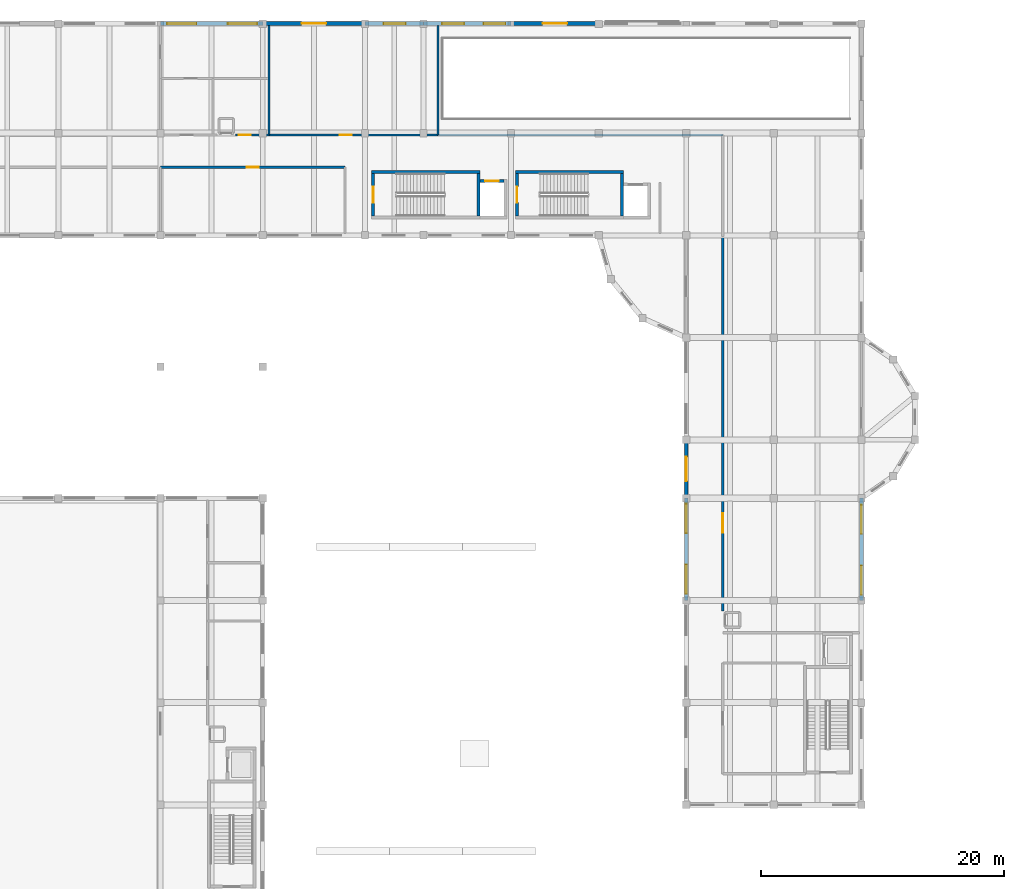
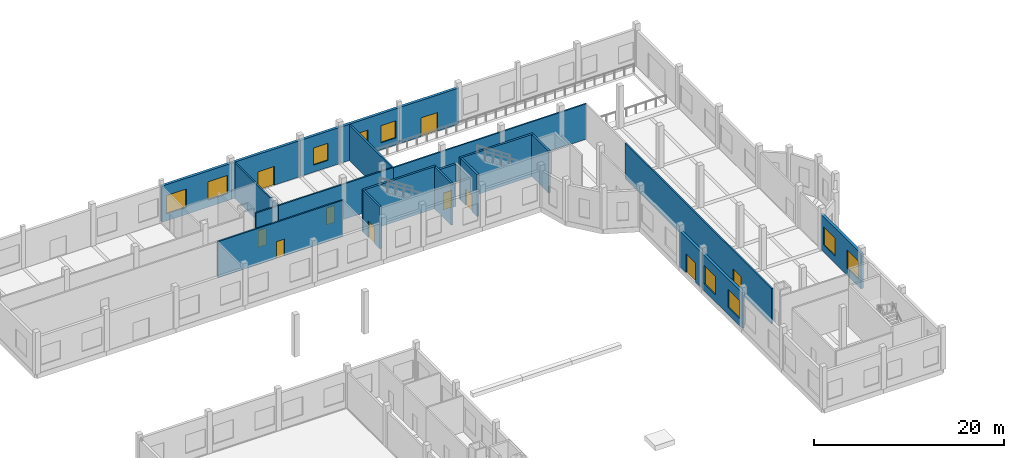
# One storey, part 24 of 41: 22 walls, 10 doors, 9 windows, 19 openings.
"""IFC4 building model written with IfcOpenShell, lengths in metres."""

from ifc_helpers import new_model, si_unit, direction, frame, frame_2d, origin, place, context, subcontext, project, spatial, rectangle, extrude, material, layer, layer_set, type_object, element, fill, save


model = new_model("IFC4")

# Units and contexts
model_context = context("Model", 3, precision=1e-05, world=origin(), true_north=direction((0.0, 1.0)))
body_context = subcontext(model_context, "Body", "Model", "MODEL_VIEW")
ifc_project = project(units=[si_unit("LENGTHUNIT", "METRE"), si_unit("AREAUNIT", "SQUARE_METRE"), si_unit("VOLUMEUNIT", "CUBIC_METRE"), si_unit("PLANEANGLEUNIT", "RADIAN"), si_unit("MASSUNIT", "GRAM", prefix="KILO")], contexts=[model_context])

# Site, building, storey
site_placement = place(None, origin())
site = spatial("IfcSite", under=ifc_project, at=site_placement, CompositionType="ELEMENT")
building_placement = place(site_placement, origin())
building = spatial("IfcBuilding", under=site, at=building_placement, Name="Kahlenmark Community Centre", CompositionType="ELEMENT")
storey_placement = place(building_placement, origin())
storey = spatial("IfcBuildingStorey", under=building, at=storey_placement, Name="L00", CompositionType="ELEMENT", Elevation=0.0)

# Wall, opening, door
ifc_material_1 = material(Name="Concrete C35/45", Category="concrete")
ifc_layer_1 = layer(ifc_material_1, 0.25)
ifc_layer_set_1 = layer_set([ifc_layer_1], Name="Concrete C35/45")
wall_type_1 = type_object("IfcWallType", Name="WT-CORE-250", PredefinedType="SHEAR", material=ifc_layer_set_1)
wall_1_placement = place(storey_placement, frame((46.675048828125, 102.699951171875, 0.0), z_axis=(0.0, 0.0, 1.0), x_axis=(0.0, -1.0, 0.0)))
wall_1 = element("IfcWall", 1, at=wall_1_placement, inside=storey, type_object=wall_type_1, Name="Core K4 shear wall WL-CORE-K4-L00-0106", PredefinedType="SHEAR", context=body_context, shape_type="SweptSolid", body=[
    extrude(rectangle(XDim=3.5, YDim=0.25, at=frame_2d((1.75, 0.0))), origin(), (0.0, 0.0, 1.0), 5.39990234375),
])
opening_1_placement = place(wall_1_placement, frame((1.10009765625, 0.0, -0.010009765625)))
opening_1 = element("IfcOpeningElement", 2, at=opening_1_placement, cuts=wall_1, Name="Opening FD-K4-L00", PredefinedType="OPENING", context=body_context, shape_type="SweptSolid", body=[
    extrude(rectangle(XDim=1.300048828125, YDim=2.159912109375, at=frame_2d((0.64990234375, 1.080078125))), frame((0.0, 0.135009765625, 0.0), z_axis=(0.0, -1.0, 0.0), x_axis=(1.0, 0.0, 0.0)), (0.0, 0.0, 1.0), 0.27001953125),
])
ifc_material_2 = material(Name="Fire-rated steel-framed timber door FD60S", Category="steel")
door_type_1 = type_object("IfcDoorType", Name="DT-FD-K4-L00", OperationType="NOTDEFINED", PredefinedType="DOOR", material=ifc_material_2)
door_1_placement = place(opening_1_placement, frame((1.300048828125, 0.0, 0.010009765625), z_axis=(0.0, 0.0, 1.0), x_axis=(-1.0, 0.0, 0.0)))
door_1 = element("IfcDoor", 3, at=door_1_placement, inside=storey, type_object=door_type_1, Name="Core K4 stair fire door L00", OperationType="SINGLE_SWING_LEFT", OverallHeight=2.14990234375, OverallWidth=1.300048828125, PredefinedType="DOOR", context=body_context, shape_type="SweptSolid", body=[
    extrude(rectangle(XDim=1.300048828125, YDim=2.14990234375, at=frame_2d((0.64990234375, 1.074951171875))), frame((0.0, 0.02490234375, 0.0), z_axis=(0.0, -1.0, 0.0), x_axis=(1.0, 0.0, 0.0)), (0.0, 0.0, 1.0), 0.050048828125),
])
fill(opening_1, door_1)

# Walls
wall_2_placement = place(storey_placement, frame((46.550048828125, 102.824951171875, 0.0), z_axis=(0.0, 0.0, 1.0), x_axis=(1.0, 0.0, 0.0)))
element("IfcWall", 4, at=wall_2_placement, inside=storey, type_object=wall_type_1, Name="Core K4 shear wall WL-CORE-K4-L00-0108", PredefinedType="SHEAR", context=body_context, shape_type="SweptSolid", body=[
    extrude(rectangle(XDim=8.89990234375, YDim=0.25, at=frame_2d((4.449951171875, 0.0))), origin(), (0.0, 0.0, 1.0), 5.39990234375),
])
wall_3_placement = place(storey_placement, frame((55.324951171875, 99.199951171875, 0.0), z_axis=(0.0, 0.0, 1.0), x_axis=(0.0, 1.0, 0.0)))
element("IfcWall", 5, at=wall_3_placement, inside=storey, type_object=wall_type_1, Name="Core K4 shear wall WL-CORE-K4-L00-0109", PredefinedType="SHEAR", context=body_context, shape_type="SweptSolid", body=[
    extrude(rectangle(XDim=3.5, YDim=0.25, at=frame_2d((1.75, 0.0))), origin(), (0.0, 0.0, 1.0), 5.39990234375),
])

# Wall, opening, door
wall_4_placement = place(storey_placement, frame((55.449951171875, 102.0849609375, 0.0), z_axis=(0.0, 0.0, 1.0), x_axis=(1.0, 0.0, 0.0)))
wall_4 = element("IfcWall", 6, at=wall_4_placement, inside=storey, type_object=wall_type_1, Name="Core K4 shear wall WL-CORE-K4-L00-0112", PredefinedType="SHEAR", context=body_context, shape_type="SweptSolid", body=[
    extrude(rectangle(XDim=1.9599609375, YDim=0.25, at=frame_2d((0.97998046875, 0.0))), origin(), (0.0, 0.0, 1.0), 5.39990234375),
])
opening_2_placement = place(wall_4_placement, frame((0.429931640625, 0.0, -0.010009765625)))
opening_2 = element("IfcOpeningElement", 7, at=opening_2_placement, cuts=wall_4, Name="Opening LD-4", PredefinedType="OPENING", context=body_context, shape_type="SweptSolid", body=[
    extrude(rectangle(XDim=1.10009765625, YDim=2.159912109375, at=frame_2d((0.550048828125, 1.080078125))), frame((0.0, 0.135009765625, 0.0), z_axis=(0.0, -1.0, 0.0), x_axis=(1.0, 0.0, 0.0)), (0.0, 0.0, 1.0), 0.27001953125),
])
ifc_material_3 = material(Name="Brushed stainless steel sliding lift landing door", Category="steel")
door_type_2 = type_object("IfcDoorType", Name="DT-LD-K4", OperationType="SLIDING_TO_LEFT", PredefinedType="DOOR", material=ifc_material_3)
door_2_placement = place(opening_2_placement, frame((0.0, 0.0, 0.010009765625)))
door_2 = element("IfcDoor", 8, at=door_2_placement, inside=storey, type_object=door_type_2, Name="Lift LF-04 sliding landing door L00", OperationType="SLIDING_TO_LEFT", OverallHeight=2.14990234375, OverallWidth=1.10009765625, PredefinedType="DOOR", context=body_context, shape_type="SweptSolid", body=[
    extrude(rectangle(XDim=1.10009765625, YDim=2.14990234375, at=frame_2d((0.550048828125, 1.074951171875))), frame((0.0, 0.02490234375, 0.0), z_axis=(0.0, -1.0, 0.0), x_axis=(1.0, 0.0, 0.0)), (0.0, 0.0, 1.0), 0.050048828125),
])
fill(opening_2, door_2)

wall_5_placement = place(storey_placement, frame((58.47509765625, 102.699951171875, 0.0), z_axis=(0.0, 0.0, 1.0), x_axis=(0.0, -1.0, 0.0)))
wall_5 = element("IfcWall", 9, at=wall_5_placement, inside=storey, type_object=wall_type_1, Name="Core K5 shear wall WL-CORE-K5-L00-0155", PredefinedType="SHEAR", context=body_context, shape_type="SweptSolid", body=[
    extrude(rectangle(XDim=3.5, YDim=0.25, at=frame_2d((1.75, 0.0))), origin(), (0.0, 0.0, 1.0), 5.39990234375),
])
opening_3_placement = place(wall_5_placement, frame((1.10009765625, 0.0, -0.010009765625)))
opening_3 = element("IfcOpeningElement", 10, at=opening_3_placement, cuts=wall_5, Name="Opening FD-K5-L00", PredefinedType="OPENING", context=body_context, shape_type="SweptSolid", body=[
    extrude(rectangle(XDim=1.300048828125, YDim=2.159912109375, at=frame_2d((0.64990234375, 1.080078125))), frame((0.0, 0.135009765625, 0.0), z_axis=(0.0, -1.0, 0.0), x_axis=(1.0, 0.0, 0.0)), (0.0, 0.0, 1.0), 0.27001953125),
])
door_type_3 = type_object("IfcDoorType", Name="DT-FD-K5-L00", OperationType="NOTDEFINED", PredefinedType="DOOR", material=ifc_material_2)
door_3_placement = place(opening_3_placement, frame((0.0, 0.0, 0.010009765625)))
door_3 = element("IfcDoor", 11, at=door_3_placement, inside=storey, type_object=door_type_3, Name="Core K5 stair fire door L00", OperationType="SINGLE_SWING_RIGHT", OverallHeight=2.14990234375, OverallWidth=1.300048828125, PredefinedType="DOOR", context=body_context, shape_type="SweptSolid", body=[
    extrude(rectangle(XDim=1.300048828125, YDim=2.14990234375, at=frame_2d((0.64990234375, 1.074951171875))), frame((0.0, 0.02490234375, 0.0), z_axis=(0.0, -1.0, 0.0), x_axis=(1.0, 0.0, 0.0)), (0.0, 0.0, 1.0), 0.050048828125),
])
fill(opening_3, door_3)

# Walls
wall_6_placement = place(storey_placement, frame((58.35009765625, 102.824951171875, 0.0), z_axis=(0.0, 0.0, 1.0), x_axis=(1.0, 0.0, 0.0)))
element("IfcWall", 12, at=wall_6_placement, inside=storey, type_object=wall_type_1, Name="Core K5 shear wall WL-CORE-K5-L00-0157", PredefinedType="SHEAR", context=body_context, shape_type="SweptSolid", body=[
    extrude(rectangle(XDim=8.89990234375, YDim=0.25, at=frame_2d((4.449951171875, 0.0))), origin(), (0.0, 0.0, 1.0), 5.39990234375),
])
wall_7_placement = place(storey_placement, frame((67.125, 99.199951171875, 0.0), z_axis=(0.0, 0.0, 1.0), x_axis=(0.0, 1.0, 0.0)))
element("IfcWall", 13, at=wall_7_placement, inside=storey, type_object=wall_type_1, Name="Core K5 shear wall WL-CORE-K5-L00-0158", PredefinedType="SHEAR", context=body_context, shape_type="SweptSolid", body=[
    extrude(rectangle(XDim=3.5, YDim=0.25, at=frame_2d((1.75, 0.0))), origin(), (0.0, 0.0, 1.0), 5.39990234375),
])

# Wall, openings, windows
ifc_material_4 = material(Name="Danube limestone masonry", Category="masonry")
ifc_layer_2 = layer(ifc_material_4, 0.320068359375)
ifc_layer_set_2 = layer_set([ifc_layer_2], Name="Danube limestone masonry")
wall_type_2 = type_object("IfcWallType", Name="WT-EW-320", PredefinedType="SOLIDWALL", material=ifc_layer_set_2)
wall_8_placement = place(storey_placement, frame((37.60009765625, 115.0, 0.0), z_axis=(0.0, 0.0, 1.0), x_axis=(-1.0, 0.0, 0.0)))
wall_8 = element("IfcWall", 14, at=wall_8_placement, inside=storey, type_object=wall_type_2, Name="Exterior wall WL-EXT-L00-0190", PredefinedType="SOLIDWALL", context=body_context, shape_type="SweptSolid", body=[
    extrude(rectangle(XDim=8.400146484375, YDim=0.320068359375, at=frame_2d((4.2001953125, 0.0))), origin(), (0.0, 0.0, 1.0), 4.639892578125),
])
opening_4_placement = place(wall_8_placement, frame((0.4599609375, 0.0, 0.89990234375)))
opening_4 = element("IfcOpeningElement", 15, at=opening_4_placement, cuts=wall_8, Name="Opening W-240X235", PredefinedType="OPENING", context=body_context, shape_type="SweptSolid", body=[
    extrude(rectangle(XDim=2.39990234375, YDim=2.35009765625, at=frame_2d((1.199951171875, 1.175048828125))), frame((0.0, 0.169921875, 0.0), z_axis=(0.0, -1.0, 0.0), x_axis=(1.0, 0.0, 0.0)), (0.0, 0.0, 1.0), 0.340087890625),
])
opening_5_placement = place(wall_8_placement, frame((5.4599609375, 0.0, 0.89990234375)))
opening_5 = element("IfcOpeningElement", 16, at=opening_5_placement, cuts=wall_8, Name="Opening W-240X235", PredefinedType="OPENING", context=body_context, shape_type="SweptSolid", body=[
    extrude(rectangle(XDim=2.39990234375, YDim=2.35009765625, at=frame_2d((1.199951171875, 1.175048828125))), frame((0.0, 0.169921875, 0.0), z_axis=(0.0, -1.0, 0.0), x_axis=(1.0, 0.0, 0.0)), (0.0, 0.0, 1.0), 0.340087890625),
])
ifc_material_5 = material(Name="Triple low-e insulated glazing in timber-aluminium frame", Category="wood")
window_type_1 = type_object("IfcWindowType", Name="WNT-240X235", PartitioningType="TRIPLE_PANEL_VERTICAL", PredefinedType="WINDOW", material=ifc_material_5)
window_1_placement = place(opening_4_placement, origin())
window_1 = element("IfcWindow", 17, at=window_1_placement, inside=storey, type_object=window_type_1, Name="Window W-240X235 #0083", OverallHeight=2.35009765625, OverallWidth=2.39990234375, PartitioningType="TRIPLE_PANEL_VERTICAL", PredefinedType="WINDOW", context=body_context, shape_type="SweptSolid", body=[
    extrude(rectangle(XDim=2.39990234375, YDim=2.35009765625, at=frame_2d((1.199951171875, 1.175048828125))), frame((0.0, 0.030029296875, 0.0), z_axis=(0.0, -1.0, 0.0), x_axis=(1.0, 0.0, 0.0)), (0.0, 0.0, 1.0), 0.06005859375),
])
fill(opening_4, window_1)
window_2_placement = place(opening_5_placement, origin())
window_2 = element("IfcWindow", 18, at=window_2_placement, inside=storey, type_object=window_type_1, Name="Window W-240X235 #0084", OverallHeight=2.35009765625, OverallWidth=2.39990234375, PartitioningType="TRIPLE_PANEL_VERTICAL", PredefinedType="WINDOW", context=body_context, shape_type="SweptSolid", body=[
    extrude(rectangle(XDim=2.39990234375, YDim=2.35009765625, at=frame_2d((1.199951171875, 1.175048828125))), frame((0.0, 0.030029296875, 0.0), z_axis=(0.0, -1.0, 0.0), x_axis=(1.0, 0.0, 0.0)), (0.0, 0.0, 1.0), 0.06005859375),
])
fill(opening_5, window_2)

# Wall, opening, door
wall_9_placement = place(storey_placement, frame((46.0, 115.0, 0.0), z_axis=(0.0, 0.0, 1.0), x_axis=(-1.0, 0.0, 0.0)))
wall_9 = element("IfcWall", 19, at=wall_9_placement, inside=storey, type_object=wall_type_2, Name="Exterior wall WL-EXT-L00-0191", PredefinedType="SOLIDWALL", context=body_context, shape_type="SweptSolid", body=[
    extrude(rectangle(XDim=8.39990234375, YDim=0.320068359375, at=frame_2d((4.199951171875, 0.0))), origin(), (0.0, 0.0, 1.0), 4.639892578125),
])
opening_6_placement = place(wall_9_placement, frame((3.199951171875, 0.0, -0.010009765625)))
opening_6 = element("IfcOpeningElement", 20, at=opening_6_placement, cuts=wall_9, Name="Opening D-EX05", PredefinedType="OPENING", context=body_context, shape_type="SweptSolid", body=[
    extrude(rectangle(XDim=2.0, YDim=2.409912109375, at=frame_2d((1.0, 1.205078125))), frame((0.0, 0.169921875, 0.0), z_axis=(0.0, -1.0, 0.0), x_axis=(1.0, 0.0, 0.0)), (0.0, 0.0, 1.0), 0.340087890625),
])
ifc_material_6 = material(Name="Thermally broken glazed aluminium double entrance door", Category="aluminium")
door_type_4 = type_object("IfcDoorType", Name="DT-EXT-200X240", OperationType="NOTDEFINED", PredefinedType="DOOR", material=ifc_material_6)
door_4_placement = place(opening_6_placement, frame((0.0, 0.0, 0.010009765625)))
door_4 = element("IfcDoor", 21, at=door_4_placement, inside=storey, type_object=door_type_4, Name="Exterior door D-EX05", OperationType="DOUBLE_SWING_LEFT", OverallHeight=2.39990234375, OverallWidth=2.0, PredefinedType="DOOR", context=body_context, shape_type="SweptSolid", body=[
    extrude(rectangle(XDim=2.0, YDim=2.39990234375, at=frame_2d((1.0, 1.199951171875))), frame((0.0, 0.02490234375, 0.0), z_axis=(0.0, -1.0, 0.0), x_axis=(1.0, 0.0, 0.0)), (0.0, 0.0, 1.0), 0.050048828125),
])
fill(opening_6, door_4)

# Wall, opening, window
wall_10_placement = place(storey_placement, frame((50.800048828125, 115.0, 0.0), z_axis=(0.0, 0.0, 1.0), x_axis=(-1.0, 0.0, 0.0)))
wall_10 = element("IfcWall", 22, at=wall_10_placement, inside=storey, type_object=wall_type_2, Name="Exterior wall WL-EXT-L00-0192", PredefinedType="SOLIDWALL", context=body_context, shape_type="SweptSolid", body=[
    extrude(rectangle(XDim=4.800048828125, YDim=0.320068359375, at=frame_2d((2.39990234375, 0.0))), origin(), (0.0, 0.0, 1.0), 4.639892578125),
])
opening_7_placement = place(wall_10_placement, frame((1.4599609375, 0.0, 0.89990234375)))
opening_7 = element("IfcOpeningElement", 23, at=opening_7_placement, cuts=wall_10, Name="Opening W-180X220", PredefinedType="OPENING", context=body_context, shape_type="SweptSolid", body=[
    extrude(rectangle(XDim=1.800048828125, YDim=2.199951171875, at=frame_2d((0.89990234375, 1.10009765625))), frame((0.0, 0.169921875, 0.0), z_axis=(0.0, -1.0, 0.0), x_axis=(1.0, 0.0, 0.0)), (0.0, 0.0, 1.0), 0.340087890625),
])
window_type_2 = type_object("IfcWindowType", Name="WNT-180X220", PartitioningType="DOUBLE_PANEL_VERTICAL", PredefinedType="WINDOW", material=ifc_material_5)
window_3_placement = place(opening_7_placement, origin())
window_3 = element("IfcWindow", 24, at=window_3_placement, inside=storey, type_object=window_type_2, Name="Window W-180X220 #0085", OverallHeight=2.199951171875, OverallWidth=1.800048828125, PartitioningType="DOUBLE_PANEL_VERTICAL", PredefinedType="WINDOW", context=body_context, shape_type="SweptSolid", body=[
    extrude(rectangle(XDim=1.800048828125, YDim=2.199951171875, at=frame_2d((0.89990234375, 1.10009765625))), frame((0.0, 0.030029296875, 0.0), z_axis=(0.0, -1.0, 0.0), x_axis=(1.0, 0.0, 0.0)), (0.0, 0.0, 1.0), 0.06005859375),
])
fill(opening_7, window_3)

# Wall, openings, windows
wall_11_placement = place(storey_placement, frame((58.0, 115.0, 0.0), z_axis=(0.0, 0.0, 1.0), x_axis=(-1.0, 0.0, 0.0)))
wall_11 = element("IfcWall", 25, at=wall_11_placement, inside=storey, type_object=wall_type_2, Name="Exterior wall WL-EXT-L00-0193", PredefinedType="SOLIDWALL", context=body_context, shape_type="SweptSolid", body=[
    extrude(rectangle(XDim=7.199951171875, YDim=0.320068359375, at=frame_2d((3.60009765625, 0.0))), origin(), (0.0, 0.0, 1.0), 4.639892578125),
])
opening_8_placement = place(wall_11_placement, frame((0.4599609375, 0.0, 0.89990234375)))
opening_8 = element("IfcOpeningElement", 26, at=opening_8_placement, cuts=wall_11, Name="Opening W-180X220", PredefinedType="OPENING", context=body_context, shape_type="SweptSolid", body=[
    extrude(rectangle(XDim=1.800048828125, YDim=2.199951171875, at=frame_2d((0.89990234375, 1.10009765625))), frame((0.0, 0.169921875, 0.0), z_axis=(0.0, -1.0, 0.0), x_axis=(1.0, 0.0, 0.0)), (0.0, 0.0, 1.0), 0.340087890625),
])
opening_9_placement = place(wall_11_placement, frame((3.860107421875, 0.0, 0.89990234375)))
opening_9 = element("IfcOpeningElement", 27, at=opening_9_placement, cuts=wall_11, Name="Opening W-180X220", PredefinedType="OPENING", context=body_context, shape_type="SweptSolid", body=[
    extrude(rectangle(XDim=1.800048828125, YDim=2.199951171875, at=frame_2d((0.89990234375, 1.10009765625))), frame((0.0, 0.169921875, 0.0), z_axis=(0.0, -1.0, 0.0), x_axis=(1.0, 0.0, 0.0)), (0.0, 0.0, 1.0), 0.340087890625),
])
window_4_placement = place(opening_8_placement, origin())
window_4 = element("IfcWindow", 28, at=window_4_placement, inside=storey, type_object=window_type_2, Name="Window W-180X220 #0086", OverallHeight=2.199951171875, OverallWidth=1.800048828125, PartitioningType="DOUBLE_PANEL_VERTICAL", PredefinedType="WINDOW", context=body_context, shape_type="SweptSolid", body=[
    extrude(rectangle(XDim=1.800048828125, YDim=2.199951171875, at=frame_2d((0.89990234375, 1.10009765625))), frame((0.0, 0.030029296875, 0.0), z_axis=(0.0, -1.0, 0.0), x_axis=(1.0, 0.0, 0.0)), (0.0, 0.0, 1.0), 0.06005859375),
])
fill(opening_8, window_4)
window_5_placement = place(opening_9_placement, origin())
window_5 = element("IfcWindow", 29, at=window_5_placement, inside=storey, type_object=window_type_2, Name="Window W-180X220 #0087", OverallHeight=2.199951171875, OverallWidth=1.800048828125, PartitioningType="DOUBLE_PANEL_VERTICAL", PredefinedType="WINDOW", context=body_context, shape_type="SweptSolid", body=[
    extrude(rectangle(XDim=1.800048828125, YDim=2.199951171875, at=frame_2d((0.89990234375, 1.10009765625))), frame((0.0, 0.030029296875, 0.0), z_axis=(0.0, -1.0, 0.0), x_axis=(1.0, 0.0, 0.0)), (0.0, 0.0, 1.0), 0.06005859375),
])
fill(opening_9, window_5)

# Wall, opening, door
wall_12_placement = place(storey_placement, frame((65.199951171875, 115.0, 0.0), z_axis=(0.0, 0.0, 1.0), x_axis=(-1.0, 0.0, 0.0)))
wall_12 = element("IfcWall", 30, at=wall_12_placement, inside=storey, type_object=wall_type_2, Name="Exterior wall WL-EXT-L00-0194", PredefinedType="SOLIDWALL", context=body_context, shape_type="SweptSolid", body=[
    extrude(rectangle(XDim=7.199951171875, YDim=0.320068359375, at=frame_2d((3.60009765625, 0.0))), origin(), (0.0, 0.0, 1.0), 4.639892578125),
])
opening_10_placement = place(wall_12_placement, frame((2.60009765625, 0.0, -0.010009765625)))
opening_10 = element("IfcOpeningElement", 31, at=opening_10_placement, cuts=wall_12, Name="Opening D-E08", PredefinedType="OPENING", context=body_context, shape_type="SweptSolid", body=[
    extrude(rectangle(XDim=2.0, YDim=2.409912109375, at=frame_2d((1.0, 1.205078125))), frame((0.0, 0.169921875, 0.0), z_axis=(0.0, -1.0, 0.0), x_axis=(1.0, 0.0, 0.0)), (0.0, 0.0, 1.0), 0.340087890625),
])
door_5_placement = place(opening_10_placement, frame((0.0, 0.0, 0.010009765625)))
door_5 = element("IfcDoor", 32, at=door_5_placement, inside=storey, type_object=door_type_4, Name="Exterior door D-E08", OperationType="DOUBLE_SWING_LEFT", OverallHeight=2.39990234375, OverallWidth=2.0, PredefinedType="DOOR", context=body_context, shape_type="SweptSolid", body=[
    extrude(rectangle(XDim=2.0, YDim=2.39990234375, at=frame_2d((1.0, 1.199951171875))), frame((0.0, 0.02490234375, 0.0), z_axis=(0.0, -1.0, 0.0), x_axis=(1.0, 0.0, 0.0)), (0.0, 0.0, 1.0), 0.050048828125),
])
fill(opening_10, door_5)

# Wall, openings, windows
wall_13_placement = place(storey_placement, frame((72.39990234375, 76.0, 0.0), z_axis=(0.0, 0.0, 1.0), x_axis=(0.0, -1.0, 0.0)))
wall_13 = element("IfcWall", 33, at=wall_13_placement, inside=storey, type_object=wall_type_2, Name="Exterior wall WL-EXT-L00-0206", PredefinedType="SOLIDWALL", context=body_context, shape_type="SweptSolid", body=[
    extrude(rectangle(XDim=8.39990234375, YDim=0.320068359375, at=frame_2d((4.199951171875, 0.0))), origin(), (0.0, 0.0, 1.0), 4.5400390625),
])
opening_11_placement = place(wall_13_placement, frame((0.4599609375, 0.0, 0.89990234375)))
opening_11 = element("IfcOpeningElement", 34, at=opening_11_placement, cuts=wall_13, Name="Opening W-240X235", PredefinedType="OPENING", context=body_context, shape_type="SweptSolid", body=[
    extrude(rectangle(XDim=2.39990234375, YDim=2.35009765625, at=frame_2d((1.199951171875, 1.175048828125))), frame((0.0, 0.169921875, 0.0), z_axis=(0.0, -1.0, 0.0), x_axis=(1.0, 0.0, 0.0)), (0.0, 0.0, 1.0), 0.340087890625),
])
opening_12_placement = place(wall_13_placement, frame((5.4599609375, 0.0, 0.89990234375)))
opening_12 = element("IfcOpeningElement", 35, at=opening_12_placement, cuts=wall_13, Name="Opening W-240X235", PredefinedType="OPENING", context=body_context, shape_type="SweptSolid", body=[
    extrude(rectangle(XDim=2.39990234375, YDim=2.35009765625, at=frame_2d((1.199951171875, 1.175048828125))), frame((0.0, 0.169921875, 0.0), z_axis=(0.0, -1.0, 0.0), x_axis=(1.0, 0.0, 0.0)), (0.0, 0.0, 1.0), 0.340087890625),
])
window_6_placement = place(opening_11_placement, origin())
window_6 = element("IfcWindow", 36, at=window_6_placement, inside=storey, type_object=window_type_1, Name="Window W-240X235 #0107", OverallHeight=2.35009765625, OverallWidth=2.39990234375, PartitioningType="TRIPLE_PANEL_VERTICAL", PredefinedType="WINDOW", context=body_context, shape_type="SweptSolid", body=[
    extrude(rectangle(XDim=2.39990234375, YDim=2.35009765625, at=frame_2d((1.199951171875, 1.175048828125))), frame((0.0, 0.030029296875, 0.0), z_axis=(0.0, -1.0, 0.0), x_axis=(1.0, 0.0, 0.0)), (0.0, 0.0, 1.0), 0.06005859375),
])
fill(opening_11, window_6)
window_7_placement = place(opening_12_placement, origin())
window_7 = element("IfcWindow", 37, at=window_7_placement, inside=storey, type_object=window_type_1, Name="Window W-240X235 #0108", OverallHeight=2.35009765625, OverallWidth=2.39990234375, PartitioningType="TRIPLE_PANEL_VERTICAL", PredefinedType="WINDOW", context=body_context, shape_type="SweptSolid", body=[
    extrude(rectangle(XDim=2.39990234375, YDim=2.35009765625, at=frame_2d((1.199951171875, 1.175048828125))), frame((0.0, 0.030029296875, 0.0), z_axis=(0.0, -1.0, 0.0), x_axis=(1.0, 0.0, 0.0)), (0.0, 0.0, 1.0), 0.06005859375),
])
fill(opening_12, window_7)

# Wall, opening, door
wall_14_placement = place(storey_placement, frame((72.39990234375, 80.800048828125, 0.0), z_axis=(0.0, 0.0, 1.0), x_axis=(0.0, -1.0, 0.0)))
wall_14 = element("IfcWall", 38, at=wall_14_placement, inside=storey, type_object=wall_type_2, Name="Exterior wall WL-EXT-L00-0207", PredefinedType="SOLIDWALL", context=body_context, shape_type="SweptSolid", body=[
    extrude(rectangle(XDim=4.800048828125, YDim=0.320068359375, at=frame_2d((2.39990234375, 0.0))), origin(), (0.0, 0.0, 1.0), 4.5400390625),
])
opening_13_placement = place(wall_14_placement, frame((1.39990234375, 0.0, -0.010009765625)))
opening_13 = element("IfcOpeningElement", 39, at=opening_13_placement, cuts=wall_14, Name="Opening D-E09", PredefinedType="OPENING", context=body_context, shape_type="SweptSolid", body=[
    extrude(rectangle(XDim=2.0, YDim=2.409912109375, at=frame_2d((1.0, 1.205078125))), frame((0.0, 0.169921875, 0.0), z_axis=(0.0, -1.0, 0.0), x_axis=(1.0, 0.0, 0.0)), (0.0, 0.0, 1.0), 0.340087890625),
])
door_6_placement = place(opening_13_placement, frame((0.0, 0.0, 0.010009765625)))
door_6 = element("IfcDoor", 40, at=door_6_placement, inside=storey, type_object=door_type_4, Name="Exterior door D-E09", OperationType="DOUBLE_SWING_LEFT", OverallHeight=2.39990234375, OverallWidth=2.0, PredefinedType="DOOR", context=body_context, shape_type="SweptSolid", body=[
    extrude(rectangle(XDim=2.0, YDim=2.39990234375, at=frame_2d((1.0, 1.199951171875))), frame((0.0, 0.02490234375, 0.0), z_axis=(0.0, -1.0, 0.0), x_axis=(1.0, 0.0, 0.0)), (0.0, 0.0, 1.0), 0.050048828125),
])
fill(opening_13, door_6)

# Wall, openings, windows
wall_15_placement = place(storey_placement, frame((86.800048828125, 67.60009765625, 0.0), z_axis=(0.0, 0.0, 1.0), x_axis=(0.0, 1.0, 0.0)))
wall_15 = element("IfcWall", 41, at=wall_15_placement, inside=storey, type_object=wall_type_2, Name="Exterior wall WL-EXT-L00-0211", PredefinedType="SOLIDWALL", context=body_context, shape_type="SweptSolid", body=[
    extrude(rectangle(XDim=8.39990234375, YDim=0.320068359375, at=frame_2d((4.199951171875, 0.0))), origin(), (0.0, 0.0, 1.0), 4.5400390625),
])
opening_14_placement = place(wall_15_placement, frame((0.4599609375, 0.0, 0.89990234375)))
opening_14 = element("IfcOpeningElement", 42, at=opening_14_placement, cuts=wall_15, Name="Opening W-240X235", PredefinedType="OPENING", context=body_context, shape_type="SweptSolid", body=[
    extrude(rectangle(XDim=2.39990234375, YDim=2.35009765625, at=frame_2d((1.199951171875, 1.175048828125))), frame((0.0, 0.169921875, 0.0), z_axis=(0.0, -1.0, 0.0), x_axis=(1.0, 0.0, 0.0)), (0.0, 0.0, 1.0), 0.340087890625),
])
opening_15_placement = place(wall_15_placement, frame((5.4599609375, 0.0, 0.89990234375)))
opening_15 = element("IfcOpeningElement", 43, at=opening_15_placement, cuts=wall_15, Name="Opening W-240X235", PredefinedType="OPENING", context=body_context, shape_type="SweptSolid", body=[
    extrude(rectangle(XDim=2.39990234375, YDim=2.35009765625, at=frame_2d((1.199951171875, 1.175048828125))), frame((0.0, 0.169921875, 0.0), z_axis=(0.0, -1.0, 0.0), x_axis=(1.0, 0.0, 0.0)), (0.0, 0.0, 1.0), 0.340087890625),
])
window_8_placement = place(opening_14_placement, origin())
window_8 = element("IfcWindow", 44, at=window_8_placement, inside=storey, type_object=window_type_1, Name="Window W-240X235 #0114", OverallHeight=2.35009765625, OverallWidth=2.39990234375, PartitioningType="TRIPLE_PANEL_VERTICAL", PredefinedType="WINDOW", context=body_context, shape_type="SweptSolid", body=[
    extrude(rectangle(XDim=2.39990234375, YDim=2.35009765625, at=frame_2d((1.199951171875, 1.175048828125))), frame((0.0, 0.030029296875, 0.0), z_axis=(0.0, -1.0, 0.0), x_axis=(1.0, 0.0, 0.0)), (0.0, 0.0, 1.0), 0.06005859375),
])
fill(opening_14, window_8)
window_9_placement = place(opening_15_placement, origin())
window_9 = element("IfcWindow", 45, at=window_9_placement, inside=storey, type_object=window_type_1, Name="Window W-240X235 #0115", OverallHeight=2.35009765625, OverallWidth=2.39990234375, PartitioningType="TRIPLE_PANEL_VERTICAL", PredefinedType="WINDOW", context=body_context, shape_type="SweptSolid", body=[
    extrude(rectangle(XDim=2.39990234375, YDim=2.35009765625, at=frame_2d((1.199951171875, 1.175048828125))), frame((0.0, 0.030029296875, 0.0), z_axis=(0.0, -1.0, 0.0), x_axis=(1.0, 0.0, 0.0)), (0.0, 0.0, 1.0), 0.06005859375),
])
fill(opening_15, window_9)

# Wall, opening, door
ifc_material_7 = material(Name="Gypsum plasterboard partition", Category="gypsum")
ifc_layer_3 = layer(ifc_material_7, 0.179931640625)
ifc_layer_set_3 = layer_set([ifc_layer_3], Name="Gypsum plasterboard partition")
wall_type_3 = type_object("IfcWallType", Name="WT-PW-180", PredefinedType="PARTITIONING", material=ifc_layer_set_3)
wall_16_placement = place(storey_placement, frame((29.199951171875, 103.199951171875, 0.0), z_axis=(0.0, 0.0, 1.0), x_axis=(1.0, 0.0, 0.0)))
wall_16 = element("IfcWall", 46, at=wall_16_placement, inside=storey, type_object=wall_type_3, Name="Interior partition WL-INT-L00-0071", PredefinedType="PARTITIONING", context=body_context, shape_type="SweptSolid", body=[
    extrude(rectangle(XDim=15.150146484375, YDim=0.179931640625, at=frame_2d((7.5751953125, 0.0))), origin(), (0.0, 0.0, 1.0), 4.639892578125),
])
opening_16_placement = place(wall_16_placement, frame((7.074951171875, 0.0, -0.010009765625)))
opening_16 = element("IfcOpeningElement", 47, at=opening_16_placement, cuts=wall_16, Name="Opening D-L00-046", PredefinedType="OPENING", context=body_context, shape_type="SweptSolid", body=[
    extrude(rectangle(XDim=1.0, YDim=2.159912109375, at=frame_2d((0.5, 1.080078125))), frame((0.0, 0.099853515625, 0.0), z_axis=(0.0, -1.0, 0.0), x_axis=(1.0, 0.0, 0.0)), (0.0, 0.0, 1.0), 0.199951171875),
])
ifc_material_8 = material(Name="Oak timber veneer door leaf", Category="wood")
door_type_5 = type_object("IfcDoorType", Name="DT-INT-100X215", OperationType="NOTDEFINED", PredefinedType="DOOR", material=ifc_material_8)
door_7_placement = place(opening_16_placement, frame((0.0, 0.0, 0.010009765625)))
door_7 = element("IfcDoor", 48, at=door_7_placement, inside=storey, type_object=door_type_5, Name="Interior door D-L00-046", OperationType="SINGLE_SWING_LEFT", OverallHeight=2.14990234375, OverallWidth=1.0, PredefinedType="DOOR", context=body_context, shape_type="SweptSolid", body=[
    extrude(rectangle(XDim=1.0, YDim=2.14990234375, at=frame_2d((0.5, 1.074951171875))), frame((0.0, 0.02490234375, 0.0), z_axis=(0.0, -1.0, 0.0), x_axis=(1.0, 0.0, 0.0)), (0.0, 0.0, 1.0), 0.050048828125),
])
fill(opening_16, door_7)

wall_17_placement = place(storey_placement, frame((35.35009765625, 105.85009765625, 0.0), z_axis=(0.0, 0.0, 1.0), x_axis=(1.0, 0.0, 0.0)))
wall_17 = element("IfcWall", 49, at=wall_17_placement, inside=storey, type_object=wall_type_3, Name="Interior partition WL-INT-L00-0077", PredefinedType="PARTITIONING", context=body_context, shape_type="SweptSolid", body=[
    extrude(rectangle(XDim=2.75, YDim=0.179931640625, at=frame_2d((1.375, 0.0))), origin(), (0.0, 0.0, 1.0), 4.5400390625),
])
opening_17_placement = place(wall_17_placement, frame((0.280029296875, 0.0, -0.010009765625)))
opening_17 = element("IfcOpeningElement", 50, at=opening_17_placement, cuts=wall_17, Name="Opening D-L00-049", PredefinedType="OPENING", context=body_context, shape_type="SweptSolid", body=[
    extrude(rectangle(XDim=1.0, YDim=2.159912109375, at=frame_2d((0.5, 1.080078125))), frame((0.0, 0.099853515625, 0.0), z_axis=(0.0, -1.0, 0.0), x_axis=(1.0, 0.0, 0.0)), (0.0, 0.0, 1.0), 0.199951171875),
])
door_8_placement = place(opening_17_placement, frame((0.0, 0.0, 0.010009765625)))
door_8 = element("IfcDoor", 51, at=door_8_placement, inside=storey, type_object=door_type_5, Name="Interior door D-L00-049", OperationType="SINGLE_SWING_RIGHT", OverallHeight=2.14990234375, OverallWidth=1.0, PredefinedType="DOOR", context=body_context, shape_type="SweptSolid", body=[
    extrude(rectangle(XDim=1.0, YDim=2.14990234375, at=frame_2d((0.5, 1.074951171875))), frame((0.0, 0.02490234375, 0.0), z_axis=(0.0, -1.0, 0.0), x_axis=(1.0, 0.0, 0.0)), (0.0, 0.0, 1.0), 0.050048828125),
])
fill(opening_17, door_8)

wall_18_placement = place(storey_placement, frame((38.10009765625, 105.85009765625, 0.0), z_axis=(0.0, 0.0, 1.0), x_axis=(1.0, 0.0, 0.0)))
wall_18 = element("IfcWall", 52, at=wall_18_placement, inside=storey, type_object=wall_type_3, Name="Interior partition WL-INT-L00-0078", PredefinedType="PARTITIONING", context=body_context, shape_type="SweptSolid", body=[
    extrude(rectangle(XDim=13.89990234375, YDim=0.179931640625, at=frame_2d((6.949951171875, 0.0))), origin(), (0.0, 0.0, 1.0), 4.5400390625),
])
opening_18_placement = place(wall_18_placement, frame((5.804931640625, 0.0, -0.010009765625)))
opening_18 = element("IfcOpeningElement", 53, at=opening_18_placement, cuts=wall_18, Name="Opening D-L00-050", PredefinedType="OPENING", context=body_context, shape_type="SweptSolid", body=[
    extrude(rectangle(XDim=1.0, YDim=2.159912109375, at=frame_2d((0.5, 1.080078125))), frame((0.0, 0.099853515625, 0.0), z_axis=(0.0, -1.0, 0.0), x_axis=(1.0, 0.0, 0.0)), (0.0, 0.0, 1.0), 0.199951171875),
])
door_9_placement = place(opening_18_placement, frame((0.0, 0.0, 0.010009765625)))
door_9 = element("IfcDoor", 54, at=door_9_placement, inside=storey, type_object=door_type_5, Name="Interior door D-L00-050", OperationType="SINGLE_SWING_LEFT", OverallHeight=2.14990234375, OverallWidth=1.0, PredefinedType="DOOR", context=body_context, shape_type="SweptSolid", body=[
    extrude(rectangle(XDim=1.0, YDim=2.14990234375, at=frame_2d((0.5, 1.074951171875))), frame((0.0, 0.02490234375, 0.0), z_axis=(0.0, -1.0, 0.0), x_axis=(1.0, 0.0, 0.0)), (0.0, 0.0, 1.0), 0.050048828125),
])
fill(opening_18, door_9)

# Walls
wall_19_placement = place(storey_placement, frame((52.0, 105.85009765625, 0.0), z_axis=(0.0, 0.0, 1.0), x_axis=(1.0, 0.0, 0.0)))
element("IfcWall", 55, at=wall_19_placement, inside=storey, type_object=wall_type_3, Name="Interior partition WL-INT-L00-0079", PredefinedType="PARTITIONING", context=body_context, shape_type="SweptSolid", body=[
    extrude(rectangle(XDim=23.39990234375, YDim=0.179931640625, at=frame_2d((11.699951171875, 0.0))), origin(), (0.0, 0.0, 1.0), 4.5400390625),
])
wall_20_placement = place(storey_placement, frame((38.10009765625, 105.85009765625, 0.0), z_axis=(0.0, 0.0, 1.0), x_axis=(0.0, 1.0, 0.0)))
element("IfcWall", 56, at=wall_20_placement, inside=storey, type_object=wall_type_3, Name="Interior partition WL-INT-L00-0084", PredefinedType="PARTITIONING", context=body_context, shape_type="SweptSolid", body=[
    extrude(rectangle(XDim=9.0, YDim=0.179931640625, at=frame_2d((4.5, 0.0))), origin(), (0.0, 0.0, 1.0), 4.5400390625),
])

# Wall, opening, door
wall_21_placement = place(storey_placement, frame((75.39990234375, 66.75, 0.0), z_axis=(0.0, 0.0, 1.0), x_axis=(0.0, 1.0, 0.0)))
wall_21 = element("IfcWall", 57, at=wall_21_placement, inside=storey, type_object=wall_type_3, Name="Interior partition WL-INT-L00-0090", PredefinedType="PARTITIONING", context=body_context, shape_type="SweptSolid", body=[
    extrude(rectangle(XDim=30.75, YDim=0.179931640625, at=frame_2d((15.375, 0.0))), origin(), (0.0, 0.0, 1.0), 4.5400390625),
])
opening_19_placement = place(wall_21_placement, frame((6.4130859375, 0.0, -0.010009765625)))
opening_19 = element("IfcOpeningElement", 58, at=opening_19_placement, cuts=wall_21, Name="Opening D-L00-054", PredefinedType="OPENING", context=body_context, shape_type="SweptSolid", body=[
    extrude(rectangle(XDim=1.60009765625, YDim=2.2099609375, at=frame_2d((0.800048828125, 1.10498046875))), frame((0.0, 0.099853515625, 0.0), z_axis=(0.0, -1.0, 0.0), x_axis=(1.0, 0.0, 0.0)), (0.0, 0.0, 1.0), 0.199951171875),
])
ifc_material_9 = material(Name="Oak double-leaf acoustic door")
door_type_6 = type_object("IfcDoorType", Name="DT-DBL-160X220", OperationType="NOTDEFINED", PredefinedType="DOOR", material=ifc_material_9)
door_10_placement = place(opening_19_placement, frame((1.60009765625, 0.0, 0.010009765625), z_axis=(0.0, 0.0, 1.0), x_axis=(-1.0, 0.0, 0.0)))
door_10 = element("IfcDoor", 59, at=door_10_placement, inside=storey, type_object=door_type_6, Name="Interior door D-L00-054", OperationType="DOUBLE_SWING_LEFT", OverallHeight=2.199951171875, OverallWidth=1.60009765625, PredefinedType="DOOR", context=body_context, shape_type="SweptSolid", body=[
    extrude(rectangle(XDim=1.60009765625, YDim=2.199951171875, at=frame_2d((0.800048828125, 1.10009765625))), frame((0.0, 0.02490234375, 0.0), z_axis=(0.0, -1.0, 0.0), x_axis=(1.0, 0.0, 0.0)), (0.0, 0.0, 1.0), 0.050048828125),
])
fill(opening_19, door_10)

# Wall
ifc_material_10 = material(Name="Masonry blockwork", Category="masonry")
ifc_layer_4 = layer(ifc_material_10, 0.199951171875)
ifc_layer_set_4 = layer_set([ifc_layer_4], Name="Masonry blockwork")
wall_type_4 = type_object("IfcWallType", Name="WT-PW-200", PredefinedType="PARTITIONING", material=ifc_layer_set_4)
wall_22_placement = place(storey_placement, frame((52.0, 105.85009765625, 0.0), z_axis=(0.0, 0.0, 1.0), x_axis=(0.0, 1.0, 0.0)))
element("IfcWall", 60, at=wall_22_placement, inside=storey, type_object=wall_type_4, Name="Interior partition WL-INT-L00-0085", PredefinedType="PARTITIONING", context=body_context, shape_type="SweptSolid", body=[
    extrude(rectangle(XDim=9.0, YDim=0.199951171875, at=frame_2d((4.5, 0.0))), origin(), (0.0, 0.0, 1.0), 4.5400390625),
])

save(model, "model.ifc")
